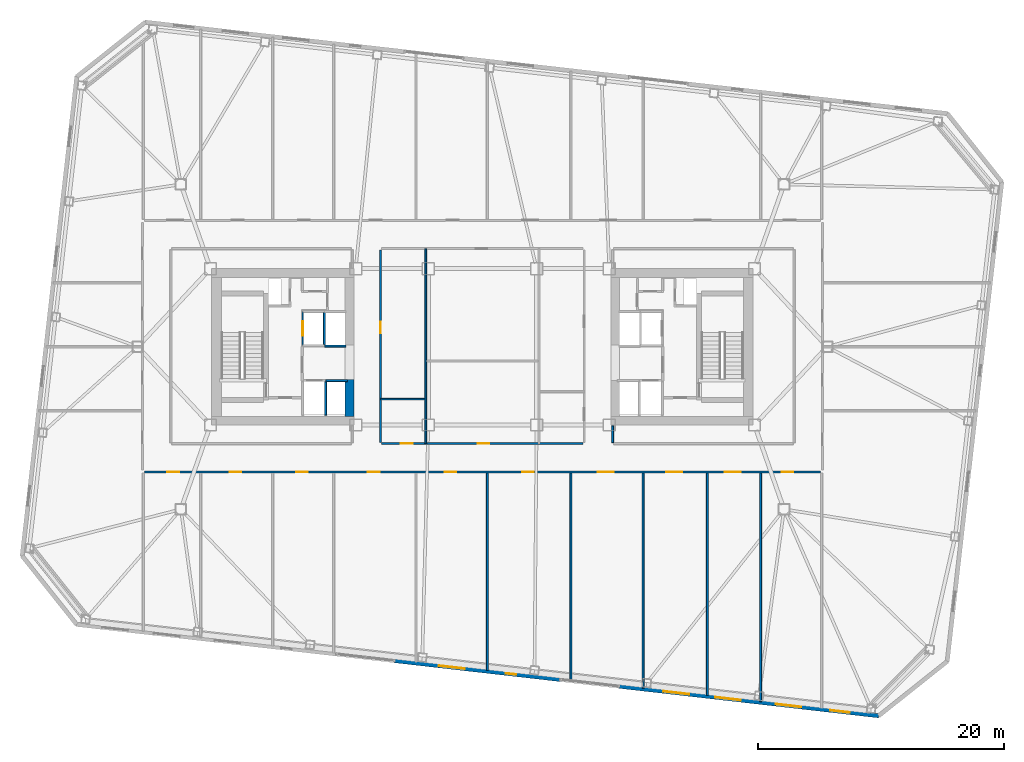
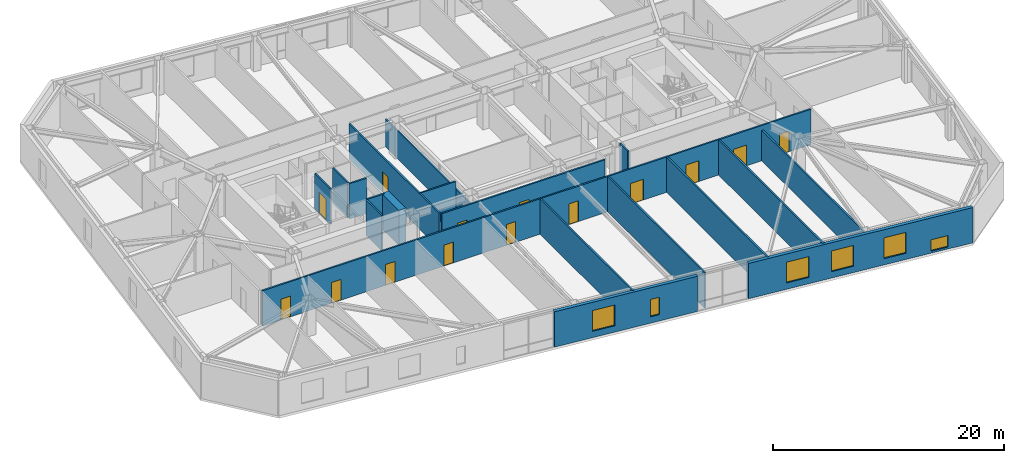
# One storey, part 12 of 21: 19 walls, 14 doors, 6 windows, 20 openings.
"""IFC4 building model written with IfcOpenShell, lengths in metres."""

from ifc_helpers import new_model, si_unit, direction, frame, frame_2d, origin, place, context, subcontext, project, spatial, rectangle, extrude, material, layer, layer_set, type_object, element, fill, save


model = new_model("IFC4")

# Units and contexts
model_context = context("Model", 3, precision=1e-05, world=origin(), true_north=direction((0.0, 1.0)))
body_context = subcontext(model_context, "Body", "Model", "MODEL_VIEW")
ifc_project = project(units=[si_unit("LENGTHUNIT", "METRE"), si_unit("AREAUNIT", "SQUARE_METRE"), si_unit("VOLUMEUNIT", "CUBIC_METRE"), si_unit("PLANEANGLEUNIT", "RADIAN"), si_unit("MASSUNIT", "GRAM", prefix="KILO")], contexts=[model_context])

# Site, building, storey
site_placement = place(None, origin())
site = spatial("IfcSite", under=ifc_project, at=site_placement, CompositionType="ELEMENT")
building_placement = place(site_placement, origin())
building = spatial("IfcBuilding", under=site, at=building_placement, Name="Tavrogorsk Clinical Tower", CompositionType="ELEMENT")
storey_placement = place(building_placement, frame((0.0, 0.0, 137.39990234375)))
storey = spatial("IfcBuildingStorey", under=building, at=storey_placement, Name="L31", CompositionType="ELEMENT", Elevation=137.39990234375)

# Walls
ifc_material_1 = material(Name="Lightweight concrete blockwork B15", Category="masonry")
ifc_layer_1 = layer(ifc_material_1, 0.139892578125)
ifc_layer_set_1 = layer_set([ifc_layer_1], Name="Lightweight concrete blockwork B15")
wall_type_1 = type_object("IfcWallType", Name="PartitionWall_140", PredefinedType="PARTITIONING", material=ifc_layer_set_1)
wall_1_placement = place(storey_placement, frame((-4.60009765625, -7.864990234375, 0.0), z_axis=(0.0, 0.0, 1.0), x_axis=(0.0, 1.0, 0.0)))
element("IfcWall", 1, at=wall_1_placement, inside=storey, type_object=wall_type_1, Name="L31 Central Spine Partition 1", PredefinedType="PARTITIONING", context=body_context, shape_type="SweptSolid", body=[
    extrude(rectangle(XDim=15.830078125, YDim=0.139892578125, at=frame_2d((7.9150390625, 0.0))), origin(), (0.0, 0.0, 1.0), 2.93505859375),
])
wall_2_placement = place(storey_placement, frame((-8.264892578125, -4.25, 0.0), z_axis=(0.0, 0.0, 1.0), x_axis=(1.0, 0.0, 0.0)))
element("IfcWall", 2, at=wall_2_placement, inside=storey, type_object=wall_type_1, Name="L31 Central Spine Partition 4", PredefinedType="PARTITIONING", context=body_context, shape_type="SweptSolid", body=[
    extrude(rectangle(XDim=3.58984375, YDim=0.139892578125, at=frame_2d((1.794921875, 0.0))), origin(), (0.0, 0.0, 1.0), 3.739990234375),
])

# Wall, openings, doors
ifc_material_2 = material(Name="Lightweight concrete blockwork B15", Category="masonry")
ifc_layer_2 = layer(ifc_material_2, 0.159912109375)
ifc_layer_set_2 = layer_set([ifc_layer_2], Name="Lightweight concrete blockwork B15")
wall_type_2 = type_object("IfcWallType", Name="PartitionWall_160", PredefinedType="PARTITIONING", material=ifc_layer_set_2)
wall_3_placement = place(storey_placement, frame((27.465087890625, -10.179931640625, 0.0), z_axis=(0.0, 0.0, 1.0), x_axis=(-1.0, 0.0, 0.0)))
wall_3 = element("IfcWall", 3, at=wall_3_placement, inside=storey, type_object=wall_type_2, Name="L31 Corridor Partition 04", PredefinedType="PARTITIONING", context=body_context, shape_type="SweptSolid", body=[
    extrude(rectangle(XDim=54.93017578125, YDim=0.159912109375, at=frame_2d((27.465087890625, 0.0))), origin(), (0.0, 0.0, 1.0), 3.739990234375),
])
opening_1_placement = place(wall_3_placement, frame((52.10595703125, 0.0, 0.0)))
opening_1 = element("IfcOpeningElement", 4, at=opening_1_placement, cuts=wall_3, Name="Opening ID-02", PredefinedType="OPENING", context=body_context, shape_type="SweptSolid", body=[
    extrude(rectangle(XDim=0.949951171875, YDim=2.199951171875, at=frame_2d((0.47509765625, 1.10009765625))), frame((0.0, 0.08984375, 0.0), z_axis=(0.0, -1.0, 0.0), x_axis=(1.0, 0.0, 0.0)), (0.0, 0.0, 1.0), 0.179931640625),
])
opening_2_placement = place(wall_3_placement, frame((47.050048828125, 0.0, 0.0)))
opening_2 = element("IfcOpeningElement", 5, at=opening_2_placement, cuts=wall_3, Name="Opening ID-02", PredefinedType="OPENING", context=body_context, shape_type="SweptSolid", body=[
    extrude(rectangle(XDim=0.949951171875, YDim=2.199951171875, at=frame_2d((0.47509765625, 1.10009765625))), frame((0.0, 0.08984375, 0.0), z_axis=(0.0, -1.0, 0.0), x_axis=(1.0, 0.0, 0.0)), (0.0, 0.0, 1.0), 0.179931640625),
])
opening_3_placement = place(wall_3_placement, frame((41.64990234375, 0.0, 0.0)))
opening_3 = element("IfcOpeningElement", 6, at=opening_3_placement, cuts=wall_3, Name="Opening ID-02", PredefinedType="OPENING", context=body_context, shape_type="SweptSolid", body=[
    extrude(rectangle(XDim=0.949951171875, YDim=2.199951171875, at=frame_2d((0.47509765625, 1.10009765625))), frame((0.0, 0.08984375, 0.0), z_axis=(0.0, -1.0, 0.0), x_axis=(1.0, 0.0, 0.0)), (0.0, 0.0, 1.0), 0.179931640625),
])
opening_4_placement = place(wall_3_placement, frame((35.824951171875, 0.0, 0.0)))
opening_4 = element("IfcOpeningElement", 7, at=opening_4_placement, cuts=wall_3, Name="Opening ID-02", PredefinedType="OPENING", context=body_context, shape_type="SweptSolid", body=[
    extrude(rectangle(XDim=0.949951171875, YDim=2.199951171875, at=frame_2d((0.47509765625, 1.10009765625))), frame((0.0, 0.08984375, 0.0), z_axis=(0.0, -1.0, 0.0), x_axis=(1.0, 0.0, 0.0)), (0.0, 0.0, 1.0), 0.179931640625),
])
opening_5_placement = place(wall_3_placement, frame((29.574951171875, 0.0, 0.0)))
opening_5 = element("IfcOpeningElement", 8, at=opening_5_placement, cuts=wall_3, Name="Opening ID-02", PredefinedType="OPENING", context=body_context, shape_type="SweptSolid", body=[
    extrude(rectangle(XDim=0.949951171875, YDim=2.199951171875, at=frame_2d((0.47509765625, 1.10009765625))), frame((0.0, 0.08984375, 0.0), z_axis=(0.0, -1.0, 0.0), x_axis=(1.0, 0.0, 0.0)), (0.0, 0.0, 1.0), 0.179931640625),
])
opening_6_placement = place(wall_3_placement, frame((23.284912109375, 0.0, 0.0)))
opening_6 = element("IfcOpeningElement", 9, at=opening_6_placement, cuts=wall_3, Name="Opening ID-02", PredefinedType="OPENING", context=body_context, shape_type="SweptSolid", body=[
    extrude(rectangle(XDim=0.949951171875, YDim=2.199951171875, at=frame_2d((0.47509765625, 1.10009765625))), frame((0.0, 0.08984375, 0.0), z_axis=(0.0, -1.0, 0.0), x_axis=(1.0, 0.0, 0.0)), (0.0, 0.0, 1.0), 0.179931640625),
])
opening_7_placement = place(wall_3_placement, frame((16.780029296875, 0.0, 0.0)))
opening_7 = element("IfcOpeningElement", 10, at=opening_7_placement, cuts=wall_3, Name="Opening ID-01", PredefinedType="OPENING", context=body_context, shape_type="SweptSolid", body=[
    extrude(rectangle(XDim=1.300048828125, YDim=2.199951171875, at=frame_2d((0.64990234375, 1.10009765625))), frame((0.0, 0.08984375, 0.0), z_axis=(0.0, -1.0, 0.0), x_axis=(1.0, 0.0, 0.0)), (0.0, 0.0, 1.0), 0.179931640625),
])
opening_8_placement = place(wall_3_placement, frame((11.22998046875, 0.0, 0.0)))
opening_8 = element("IfcOpeningElement", 11, at=opening_8_placement, cuts=wall_3, Name="Opening ID-01", PredefinedType="OPENING", context=body_context, shape_type="SweptSolid", body=[
    extrude(rectangle(XDim=1.300048828125, YDim=2.199951171875, at=frame_2d((0.64990234375, 1.10009765625))), frame((0.0, 0.08984375, 0.0), z_axis=(0.0, -1.0, 0.0), x_axis=(1.0, 0.0, 0.0)), (0.0, 0.0, 1.0), 0.179931640625),
])
opening_9_placement = place(wall_3_placement, frame((6.4599609375, 0.0, 0.0)))
opening_9 = element("IfcOpeningElement", 12, at=opening_9_placement, cuts=wall_3, Name="Opening ID-01", PredefinedType="OPENING", context=body_context, shape_type="SweptSolid", body=[
    extrude(rectangle(XDim=1.300048828125, YDim=2.199951171875, at=frame_2d((0.64990234375, 1.10009765625))), frame((0.0, 0.08984375, 0.0), z_axis=(0.0, -1.0, 0.0), x_axis=(1.0, 0.0, 0.0)), (0.0, 0.0, 1.0), 0.179931640625),
])
opening_10_placement = place(wall_3_placement, frame((2.194091796875, 0.0, 0.0)))
opening_10 = element("IfcOpeningElement", 13, at=opening_10_placement, cuts=wall_3, Name="Opening ID-02", PredefinedType="OPENING", context=body_context, shape_type="SweptSolid", body=[
    extrude(rectangle(XDim=0.949951171875, YDim=2.199951171875, at=frame_2d((0.47509765625, 1.10009765625))), frame((0.0, 0.08984375, 0.0), z_axis=(0.0, -1.0, 0.0), x_axis=(1.0, 0.0, 0.0)), (0.0, 0.0, 1.0), 0.179931640625),
])
ifc_material_3 = material(Name="Laminated timber leaf on aluminium frame", Category="wood")
door_type_1 = type_object("IfcDoorType", Name="InteriorDoor_ID02_950", OperationType="NOTDEFINED", PredefinedType="DOOR", material=ifc_material_3)
door_1_placement = place(opening_1_placement, origin())
door_1 = element("IfcDoor", 14, at=door_1_placement, inside=storey, type_object=door_type_1, Name="L31 South Clean Medication & Prep Room 01 Door", OperationType="SINGLE_SWING_RIGHT", OverallHeight=2.199951171875, OverallWidth=0.949951171875, PredefinedType="DOOR", context=body_context, shape_type="SweptSolid", body=[
    extrude(rectangle(XDim=0.949951171875, YDim=2.199951171875, at=frame_2d((0.47509765625, 1.10009765625))), frame((0.0, 0.02490234375, 0.0), z_axis=(0.0, -1.0, 0.0), x_axis=(1.0, 0.0, 0.0)), (0.0, 0.0, 1.0), 0.050048828125),
])
fill(opening_1, door_1)
door_2_placement = place(opening_2_placement, origin())
door_2 = element("IfcDoor", 15, at=door_2_placement, inside=storey, type_object=door_type_1, Name="L31 South Outpatient Procedure Suite 02A Door", OperationType="SINGLE_SWING_LEFT", OverallHeight=2.199951171875, OverallWidth=0.949951171875, PredefinedType="DOOR", context=body_context, shape_type="SweptSolid", body=[
    extrude(rectangle(XDim=0.949951171875, YDim=2.199951171875, at=frame_2d((0.47509765625, 1.10009765625))), frame((0.0, 0.02490234375, 0.0), z_axis=(0.0, -1.0, 0.0), x_axis=(1.0, 0.0, 0.0)), (0.0, 0.0, 1.0), 0.050048828125),
])
fill(opening_2, door_2)
door_3_placement = place(opening_3_placement, origin())
door_3 = element("IfcDoor", 16, at=door_3_placement, inside=storey, type_object=door_type_1, Name="L31 South Clinical Case Seminar Room 02B Door", OperationType="SINGLE_SWING_RIGHT", OverallHeight=2.199951171875, OverallWidth=0.949951171875, PredefinedType="DOOR", context=body_context, shape_type="SweptSolid", body=[
    extrude(rectangle(XDim=0.949951171875, YDim=2.199951171875, at=frame_2d((0.47509765625, 1.10009765625))), frame((0.0, 0.02490234375, 0.0), z_axis=(0.0, -1.0, 0.0), x_axis=(1.0, 0.0, 0.0)), (0.0, 0.0, 1.0), 0.050048828125),
])
fill(opening_3, door_3)
door_4_placement = place(opening_4_placement, origin())
door_4 = element("IfcDoor", 17, at=door_4_placement, inside=storey, type_object=door_type_1, Name="L31 South Cardiology Diagnostics Room 03A Door", OperationType="SINGLE_SWING_LEFT", OverallHeight=2.199951171875, OverallWidth=0.949951171875, PredefinedType="DOOR", context=body_context, shape_type="SweptSolid", body=[
    extrude(rectangle(XDim=0.949951171875, YDim=2.199951171875, at=frame_2d((0.47509765625, 1.10009765625))), frame((0.0, 0.02490234375, 0.0), z_axis=(0.0, -1.0, 0.0), x_axis=(1.0, 0.0, 0.0)), (0.0, 0.0, 1.0), 0.050048828125),
])
fill(opening_4, door_4)
door_5_placement = place(opening_5_placement, origin())
door_5 = element("IfcDoor", 18, at=door_5_placement, inside=storey, type_object=door_type_1, Name="L31 South Staff Rest & Nourishment Lounge 03B Door", OperationType="SINGLE_SWING_RIGHT", OverallHeight=2.199951171875, OverallWidth=0.949951171875, PredefinedType="DOOR", context=body_context, shape_type="SweptSolid", body=[
    extrude(rectangle(XDim=0.949951171875, YDim=2.199951171875, at=frame_2d((0.47509765625, 1.10009765625))), frame((0.0, 0.02490234375, 0.0), z_axis=(0.0, -1.0, 0.0), x_axis=(1.0, 0.0, 0.0)), (0.0, 0.0, 1.0), 0.050048828125),
])
fill(opening_5, door_5)
door_6_placement = place(opening_6_placement, origin())
door_6 = element("IfcDoor", 19, at=door_6_placement, inside=storey, type_object=door_type_1, Name="L31 South Attending Physician Office 04A Door", OperationType="SINGLE_SWING_LEFT", OverallHeight=2.199951171875, OverallWidth=0.949951171875, PredefinedType="DOOR", context=body_context, shape_type="SweptSolid", body=[
    extrude(rectangle(XDim=0.949951171875, YDim=2.199951171875, at=frame_2d((0.47509765625, 1.10009765625))), frame((0.0, 0.02490234375, 0.0), z_axis=(0.0, -1.0, 0.0), x_axis=(1.0, 0.0, 0.0)), (0.0, 0.0, 1.0), 0.050048828125),
])
fill(opening_6, door_6)
door_7_placement = place(opening_10_placement, origin())
door_7 = element("IfcDoor", 20, at=door_7_placement, inside=storey, type_object=door_type_1, Name="L31 South Clean Medication & Prep Room 06 Door", OperationType="SINGLE_SWING_LEFT", OverallHeight=2.199951171875, OverallWidth=0.949951171875, PredefinedType="DOOR", context=body_context, shape_type="SweptSolid", body=[
    extrude(rectangle(XDim=0.949951171875, YDim=2.199951171875, at=frame_2d((0.47509765625, 1.10009765625))), frame((0.0, 0.02490234375, 0.0), z_axis=(0.0, -1.0, 0.0), x_axis=(1.0, 0.0, 0.0)), (0.0, 0.0, 1.0), 0.050048828125),
])
fill(opening_10, door_7)
ifc_material_4 = material(Name="Antibacterial HPL medical leaf on aluminium frame", Category="aluminium")
door_type_2 = type_object("IfcDoorType", Name="WardBedDoor_ID01_1300", OperationType="NOTDEFINED", PredefinedType="DOOR", material=ifc_material_4)
door_8_placement = place(opening_7_placement, origin())
door_8 = element("IfcDoor", 21, at=door_8_placement, inside=storey, type_object=door_type_2, Name="L31 South Bariatric Observation Ward 04B Door", OperationType="SINGLE_SWING_RIGHT", OverallHeight=2.199951171875, OverallWidth=1.300048828125, PredefinedType="DOOR", context=body_context, shape_type="SweptSolid", body=[
    extrude(rectangle(XDim=1.300048828125, YDim=2.199951171875, at=frame_2d((0.64990234375, 1.10009765625))), frame((0.0, 0.02490234375, 0.0), z_axis=(0.0, -1.0, 0.0), x_axis=(1.0, 0.0, 0.0)), (0.0, 0.0, 1.0), 0.050048828125),
])
fill(opening_7, door_8)
door_9_placement = place(opening_8_placement, origin())
door_9 = element("IfcDoor", 22, at=door_9_placement, inside=storey, type_object=door_type_2, Name="L31 South Acute Medical Ward 05A Door", OperationType="SINGLE_SWING_LEFT", OverallHeight=2.199951171875, OverallWidth=1.300048828125, PredefinedType="DOOR", context=body_context, shape_type="SweptSolid", body=[
    extrude(rectangle(XDim=1.300048828125, YDim=2.199951171875, at=frame_2d((0.64990234375, 1.10009765625))), frame((0.0, 0.02490234375, 0.0), z_axis=(0.0, -1.0, 0.0), x_axis=(1.0, 0.0, 0.0)), (0.0, 0.0, 1.0), 0.050048828125),
])
fill(opening_8, door_9)
door_10_placement = place(opening_9_placement, origin())
door_10 = element("IfcDoor", 23, at=door_10_placement, inside=storey, type_object=door_type_2, Name="L31 South Surgical Step-Down Ward 05B Door", OperationType="SINGLE_SWING_RIGHT", OverallHeight=2.199951171875, OverallWidth=1.300048828125, PredefinedType="DOOR", context=body_context, shape_type="SweptSolid", body=[
    extrude(rectangle(XDim=1.300048828125, YDim=2.199951171875, at=frame_2d((0.64990234375, 1.10009765625))), frame((0.0, 0.02490234375, 0.0), z_axis=(0.0, -1.0, 0.0), x_axis=(1.0, 0.0, 0.0)), (0.0, 0.0, 1.0), 0.050048828125),
])
fill(opening_9, door_10)

# Wall
wall_4_placement = place(storey_placement, frame((10.580078125, -6.419921875, 0.0), z_axis=(0.0, 0.0, 1.0), x_axis=(0.0, -1.0, 0.0)))
element("IfcWall", 24, at=wall_4_placement, inside=storey, type_object=wall_type_2, Name="L31 Corridor Partition 07", PredefinedType="PARTITIONING", context=body_context, shape_type="SweptSolid", body=[
    extrude(rectangle(XDim=1.364990234375, YDim=0.159912109375, at=frame_2d((0.6826171875, 0.0))), origin(), (0.0, 0.0, 1.0), 3.739990234375),
])

# Wall, opening, door
wall_5_placement = place(storey_placement, frame((-8.27001953125, 7.885009765625, 0.0), z_axis=(0.0, 0.0, 1.0), x_axis=(0.0, -1.0, 0.0)))
wall_5 = element("IfcWall", 25, at=wall_5_placement, inside=storey, type_object=wall_type_2, Name="L31 Corridor Partition 12", PredefinedType="PARTITIONING", context=body_context, shape_type="SweptSolid", body=[
    extrude(rectangle(XDim=15.669921875, YDim=0.159912109375, at=frame_2d((7.8349609375, 0.0))), origin(), (0.0, 0.0, 1.0), 3.739990234375),
])
opening_11_placement = place(wall_5_placement, frame((5.8291015625, 0.0, 0.0)))
opening_11 = element("IfcOpeningElement", 26, at=opening_11_placement, cuts=wall_5, Name="Opening ID-02", PredefinedType="OPENING", context=body_context, shape_type="SweptSolid", body=[
    extrude(rectangle(XDim=0.949951171875, YDim=2.199951171875, at=frame_2d((0.47509765625, 1.10009765625))), frame((0.0, 0.08984375, 0.0), z_axis=(0.0, -1.0, 0.0), x_axis=(1.0, 0.0, 0.0)), (0.0, 0.0, 1.0), 0.179931640625),
])
door_11_placement = place(opening_11_placement, origin())
door_11 = element("IfcDoor", 27, at=door_11_placement, inside=storey, type_object=door_type_1, Name="L31 Ward Nourishment Pantry Door", OperationType="SINGLE_SWING_LEFT", OverallHeight=2.199951171875, OverallWidth=0.949951171875, PredefinedType="DOOR", context=body_context, shape_type="SweptSolid", body=[
    extrude(rectangle(XDim=0.949951171875, YDim=2.199951171875, at=frame_2d((0.47509765625, 1.10009765625))), frame((0.0, 0.02490234375, 0.0), z_axis=(0.0, -1.0, 0.0), x_axis=(1.0, 0.0, 0.0)), (0.0, 0.0, 1.0), 0.050048828125),
])
fill(opening_11, door_11)

# Wall, openings, doors
wall_6_placement = place(storey_placement, frame((-8.18505859375, -7.8701171875, 0.0), z_axis=(0.0, 0.0, 1.0), x_axis=(1.0, 0.0, 0.0)))
wall_6 = element("IfcWall", 28, at=wall_6_placement, inside=storey, type_object=wall_type_2, Name="L31 Corridor Partition 13", PredefinedType="PARTITIONING", context=body_context, shape_type="SweptSolid", body=[
    extrude(rectangle(XDim=16.3701171875, YDim=0.159912109375, at=frame_2d((8.18505859375, 0.0))), origin(), (0.0, 0.0, 1.0), 3.739990234375),
])
opening_12_placement = place(wall_6_placement, frame((1.55419921875, 0.0, 0.0)))
opening_12 = element("IfcOpeningElement", 29, at=opening_12_placement, cuts=wall_6, Name="Opening ID-02", PredefinedType="OPENING", context=body_context, shape_type="SweptSolid", body=[
    extrude(rectangle(XDim=0.949951171875, YDim=2.199951171875, at=frame_2d((0.47509765625, 1.10009765625))), frame((0.0, 0.08984375, 0.0), z_axis=(0.0, -1.0, 0.0), x_axis=(1.0, 0.0, 0.0)), (0.0, 0.0, 1.0), 0.179931640625),
])
opening_13_placement = place(wall_6_placement, frame((7.794921875, 0.0, 0.0)))
opening_13 = element("IfcOpeningElement", 30, at=opening_13_placement, cuts=wall_6, Name="Opening ID-02", PredefinedType="OPENING", context=body_context, shape_type="SweptSolid", body=[
    extrude(rectangle(XDim=0.949951171875, YDim=2.199951171875, at=frame_2d((0.47509765625, 1.10009765625))), frame((0.0, 0.08984375, 0.0), z_axis=(0.0, -1.0, 0.0), x_axis=(1.0, 0.0, 0.0)), (0.0, 0.0, 1.0), 0.179931640625),
])
door_12_placement = place(opening_12_placement, origin())
door_12 = element("IfcDoor", 31, at=door_12_placement, inside=storey, type_object=door_type_1, Name="L31 Accessible Patient Lavatory Door", OperationType="SINGLE_SWING_RIGHT", OverallHeight=2.199951171875, OverallWidth=0.949951171875, PredefinedType="DOOR", context=body_context, shape_type="SweptSolid", body=[
    extrude(rectangle(XDim=0.949951171875, YDim=2.199951171875, at=frame_2d((0.47509765625, 1.10009765625))), frame((0.0, 0.02490234375, 0.0), z_axis=(0.0, -1.0, 0.0), x_axis=(1.0, 0.0, 0.0)), (0.0, 0.0, 1.0), 0.050048828125),
])
fill(opening_12, door_12)
door_13_placement = place(opening_13_placement, origin())
door_13 = element("IfcDoor", 32, at=door_13_placement, inside=storey, type_object=door_type_1, Name="L31 Multidisciplinary Conference Room Door", OperationType="SINGLE_SWING_RIGHT", OverallHeight=2.199951171875, OverallWidth=0.949951171875, PredefinedType="DOOR", context=body_context, shape_type="SweptSolid", body=[
    extrude(rectangle(XDim=0.949951171875, YDim=2.199951171875, at=frame_2d((0.47509765625, 1.10009765625))), frame((0.0, 0.02490234375, 0.0), z_axis=(0.0, -1.0, 0.0), x_axis=(1.0, 0.0, 0.0)), (0.0, 0.0, 1.0), 0.050048828125),
])
fill(opening_13, door_13)

# Walls
wall_7_placement = place(storey_placement, frame((0.39990234375, -26.291015625, 0.0), z_axis=(0.0, 0.0, 1.0), x_axis=(0.0, 1.0, 0.0)))
element("IfcWall", 33, at=wall_7_placement, inside=storey, type_object=wall_type_2, Name="L31 South Room Partition 3", PredefinedType="PARTITIONING", context=body_context, shape_type="SweptSolid", body=[
    extrude(rectangle(XDim=16.026123046875, YDim=0.159912109375, at=frame_2d((8.01318359375, 0.0))), origin(), (0.0, 0.0, 1.0), 3.739990234375),
])
wall_8_placement = place(storey_placement, frame((13.06005859375, -27.7333984375, 0.0), z_axis=(0.0, 0.0, 1.0), x_axis=(0.0, 1.0, 0.0)))
element("IfcWall", 34, at=wall_8_placement, inside=storey, type_object=wall_type_2, Name="L31 South Room Partition 4", PredefinedType="PARTITIONING", context=body_context, shape_type="SweptSolid", body=[
    extrude(rectangle(XDim=17.468505859375, YDim=0.159912109375, at=frame_2d((8.734375, 0.0))), origin(), (0.0, 0.0, 1.0), 3.739990234375),
])
wall_9_placement = place(storey_placement, frame((22.60009765625, -28.8203125, 0.0), z_axis=(0.0, 0.0, 1.0), x_axis=(0.0, 1.0, 0.0)))
element("IfcWall", 35, at=wall_9_placement, inside=storey, type_object=wall_type_2, Name="L31 South Room Partition 5", PredefinedType="PARTITIONING", context=body_context, shape_type="SweptSolid", body=[
    extrude(rectangle(XDim=18.555419921875, YDim=0.159912109375, at=frame_2d((9.27783203125, 0.0))), origin(), (0.0, 0.0, 1.0), 3.235107421875),
])
wall_10_placement = place(storey_placement, frame((7.179931640625, -27.0634765625, 0.0), z_axis=(0.0, 0.0, 1.0), x_axis=(0.0, 1.0, 0.0)))
element("IfcWall", 36, at=wall_10_placement, inside=storey, type_object=wall_type_2, Name="L31 South Sub-Partition 4", PredefinedType="PARTITIONING", context=body_context, shape_type="SweptSolid", body=[
    extrude(rectangle(XDim=16.798583984375, YDim=0.159912109375, at=frame_2d((8.3994140625, 0.0))), origin(), (0.0, 0.0, 1.0), 3.739990234375),
])
wall_11_placement = place(storey_placement, frame((18.280029296875, -28.328125, 0.0), z_axis=(0.0, 0.0, 1.0), x_axis=(0.0, 1.0, 0.0)))
element("IfcWall", 37, at=wall_11_placement, inside=storey, type_object=wall_type_2, Name="L31 South Sub-Partition 5", PredefinedType="PARTITIONING", context=body_context, shape_type="SweptSolid", body=[
    extrude(rectangle(XDim=18.063232421875, YDim=0.159912109375, at=frame_2d((9.03173828125, 0.0))), origin(), (0.0, 0.0, 1.0), 3.739990234375),
])

# Wall, openings, windows
ifc_material_5 = material(Name="Precast concrete B45 with limestone cladding", Category="masonry")
ifc_layer_3 = layer(ifc_material_5, 0.340087890625)
ifc_layer_set_3 = layer_set([ifc_layer_3], Name="Precast concrete B45 with limestone cladding")
wall_type_3 = type_object("IfcWallType", Name="PrecastLimestoneWall_340", PredefinedType="STANDARD", material=ifc_layer_set_3)
wall_12_placement = place(storey_placement, frame((-7.121826171875, -25.50439453125, 0.0), z_axis=(0.0, 0.0, 1.0), x_axis=(0.993571685551, -0.11320470693, 0.0)))
wall_12 = element("IfcWall", 38, at=wall_12_placement, inside=storey, type_object=wall_type_3, Name="L31 S Limestone Facade Wall 2", PredefinedType="STANDARD", context=body_context, shape_type="SweptSolid", body=[
    extrude(rectangle(XDim=13.554443359375, YDim=0.340087890625, at=frame_2d((6.77734375, 0.0))), origin(), (0.0, 0.0, 1.0), 3.739990234375),
])
opening_14_placement = place(wall_12_placement, frame((3.616455078125, 0.0, 0.669921875)))
opening_14 = element("IfcOpeningElement", 39, at=opening_14_placement, cuts=wall_12, Name="Opening WN-03", PredefinedType="OPENING", context=body_context, shape_type="SweptSolid", body=[
    extrude(rectangle(XDim=2.10009765625, YDim=2.199951171875, at=frame_2d((1.050048828125, 1.10009765625))), frame((0.0, 0.179931640625, 0.0), z_axis=(0.0, -1.0, 0.0), x_axis=(1.0, 0.0, 0.0)), (0.0, 0.0, 1.0), 0.360107421875),
])
opening_15_placement = place(wall_12_placement, frame((9.087890625, 0.0, 0.669921875)))
opening_15 = element("IfcOpeningElement", 40, at=opening_15_placement, cuts=wall_12, Name="Opening WN-06", PredefinedType="OPENING", context=body_context, shape_type="SweptSolid", body=[
    extrude(rectangle(XDim=0.85009765625, YDim=1.85009765625, at=frame_2d((0.425048828125, 0.925048828125))), frame((0.0, 0.179931640625, 0.0), z_axis=(0.0, -1.0, 0.0), x_axis=(1.0, 0.0, 0.0)), (0.0, 0.0, 1.0), 0.360107421875),
])
ifc_material_6 = material(Name="Thermally broken aluminium frame and triple IGU", Category="aluminium")
window_type_1 = type_object("IfcWindowType", Name="MullionSubWin_850x1850", PartitioningType="SINGLE_PANEL", PredefinedType="WINDOW", material=ifc_material_6)
window_1_placement = place(opening_15_placement, origin())
window_1 = element("IfcWindow", 41, at=window_1_placement, inside=storey, type_object=window_type_1, Name="L31 S Mullion Split Window 06B", OverallHeight=1.85009765625, OverallWidth=0.85009765625, PartitioningType="SINGLE_PANEL", PredefinedType="WINDOW", context=body_context, shape_type="SweptSolid", body=[
    extrude(rectangle(XDim=0.85009765625, YDim=1.85009765625, at=frame_2d((0.425048828125, 0.925048828125))), frame((0.0, 0.030029296875, 0.0), z_axis=(0.0, -1.0, 0.0), x_axis=(1.0, 0.0, 0.0)), (0.0, 0.0, 1.0), 0.06005859375),
])
fill(opening_15, window_1)
ifc_material_7 = material(Name="Thermally broken aluminium frame and triple IGU", Category="aluminium")
window_type_2 = type_object("IfcWindowType", Name="PatientTwinWin_2100x2200", PartitioningType="DOUBLE_PANEL_VERTICAL", PredefinedType="WINDOW", material=ifc_material_7)
window_2_placement = place(opening_14_placement, origin())
window_2 = element("IfcWindow", 42, at=window_2_placement, inside=storey, type_object=window_type_2, Name="L31 S Chicago Window 05", OverallHeight=2.199951171875, OverallWidth=2.10009765625, PartitioningType="SINGLE_PANEL", PredefinedType="WINDOW", context=body_context, shape_type="SweptSolid", body=[
    extrude(rectangle(XDim=2.10009765625, YDim=2.199951171875, at=frame_2d((1.050048828125, 1.10009765625))), frame((0.0, 0.030029296875, 0.0), z_axis=(0.0, -1.0, 0.0), x_axis=(1.0, 0.0, 0.0)), (0.0, 0.0, 1.0), 0.06005859375),
])
fill(opening_14, window_2)

wall_13_placement = place(storey_placement, frame((11.114501953125, -27.582275390625, 0.0), z_axis=(0.0, 0.0, 1.0), x_axis=(0.993572655904, -0.113196190044, 0.0)))
wall_13 = element("IfcWall", 43, at=wall_13_placement, inside=storey, type_object=wall_type_3, Name="L31 S Limestone Facade Wall 3", PredefinedType="STANDARD", context=body_context, shape_type="SweptSolid", body=[
    extrude(rectangle(XDim=21.222900390625, YDim=0.340087890625, at=frame_2d((10.611328125, 0.0))), origin(), (0.0, 0.0, 1.0), 3.739990234375),
])
opening_16_placement = place(wall_13_placement, frame((3.616455078125, 0.0, 0.669921875)))
opening_16 = element("IfcOpeningElement", 44, at=opening_16_placement, cuts=wall_13, Name="Opening WN-03", PredefinedType="OPENING", context=body_context, shape_type="SweptSolid", body=[
    extrude(rectangle(XDim=2.10009765625, YDim=2.199951171875, at=frame_2d((1.050048828125, 1.10009765625))), frame((0.0, 0.179931640625, 0.0), z_axis=(0.0, -1.0, 0.0), x_axis=(1.0, 0.0, 0.0)), (0.0, 0.0, 1.0), 0.360107421875),
])
opening_17_placement = place(wall_13_placement, frame((7.837890625, 0.0, 0.669921875)))
opening_17 = element("IfcOpeningElement", 45, at=opening_17_placement, cuts=wall_13, Name="Opening WN-03", PredefinedType="OPENING", context=body_context, shape_type="SweptSolid", body=[
    extrude(rectangle(XDim=2.10009765625, YDim=2.199951171875, at=frame_2d((1.050048828125, 1.10009765625))), frame((0.0, 0.179931640625, 0.0), z_axis=(0.0, -1.0, 0.0), x_axis=(1.0, 0.0, 0.0)), (0.0, 0.0, 1.0), 0.360107421875),
])
opening_18_placement = place(wall_13_placement, frame((12.793701171875, 0.0, 0.669921875)))
opening_18 = element("IfcOpeningElement", 46, at=opening_18_placement, cuts=wall_13, Name="Opening WN-03", PredefinedType="OPENING", context=body_context, shape_type="SweptSolid", body=[
    extrude(rectangle(XDim=2.10009765625, YDim=2.199951171875, at=frame_2d((1.050048828125, 1.10009765625))), frame((0.0, 0.179931640625, 0.0), z_axis=(0.0, -1.0, 0.0), x_axis=(1.0, 0.0, 0.0)), (0.0, 0.0, 1.0), 0.360107421875),
])
opening_19_placement = place(wall_13_placement, frame((17.264892578125, 0.0, 0.219970703125)))
opening_19 = element("IfcOpeningElement", 47, at=opening_19_placement, cuts=wall_13, Name="Opening WN-09", PredefinedType="OPENING", context=body_context, shape_type="SweptSolid", body=[
    extrude(rectangle(XDim=1.60009765625, YDim=1.199951171875, at=frame_2d((0.800048828125, 0.60009765625))), frame((0.0, 0.179931640625, 0.0), z_axis=(0.0, -1.0, 0.0), x_axis=(1.0, 0.0, 0.0)), (0.0, 0.0, 1.0), 0.360107421875),
])
ifc_material_8 = material(Name="Thermally broken aluminium frame and triple IGU", Category="aluminium")
window_type_3 = type_object("IfcWindowType", Name="LowHeadTransWin_1600x1200", PartitioningType="DOUBLE_PANEL_VERTICAL", PredefinedType="WINDOW", material=ifc_material_8)
window_3_placement = place(opening_19_placement, origin())
window_3 = element("IfcWindow", 48, at=window_3_placement, inside=storey, type_object=window_type_3, Name="L31 S Chicago Window 10", OverallHeight=1.199951171875, OverallWidth=1.60009765625, PartitioningType="SINGLE_PANEL", PredefinedType="WINDOW", context=body_context, shape_type="SweptSolid", body=[
    extrude(rectangle(XDim=1.60009765625, YDim=1.199951171875, at=frame_2d((0.800048828125, 0.60009765625))), frame((0.0, 0.030029296875, 0.0), z_axis=(0.0, -1.0, 0.0), x_axis=(1.0, 0.0, 0.0)), (0.0, 0.0, 1.0), 0.06005859375),
])
fill(opening_19, window_3)
window_4_placement = place(opening_16_placement, origin())
window_4 = element("IfcWindow", 49, at=window_4_placement, inside=storey, type_object=window_type_2, Name="L31 S Chicago Window 07", OverallHeight=2.199951171875, OverallWidth=2.10009765625, PartitioningType="SINGLE_PANEL", PredefinedType="WINDOW", context=body_context, shape_type="SweptSolid", body=[
    extrude(rectangle(XDim=2.10009765625, YDim=2.199951171875, at=frame_2d((1.050048828125, 1.10009765625))), frame((0.0, 0.030029296875, 0.0), z_axis=(0.0, -1.0, 0.0), x_axis=(1.0, 0.0, 0.0)), (0.0, 0.0, 1.0), 0.06005859375),
])
fill(opening_16, window_4)
window_5_placement = place(opening_17_placement, origin())
window_5 = element("IfcWindow", 50, at=window_5_placement, inside=storey, type_object=window_type_2, Name="L31 S Chicago Window 08", OverallHeight=2.199951171875, OverallWidth=2.10009765625, PartitioningType="SINGLE_PANEL", PredefinedType="WINDOW", context=body_context, shape_type="SweptSolid", body=[
    extrude(rectangle(XDim=2.10009765625, YDim=2.199951171875, at=frame_2d((1.050048828125, 1.10009765625))), frame((0.0, 0.030029296875, 0.0), z_axis=(0.0, -1.0, 0.0), x_axis=(1.0, 0.0, 0.0)), (0.0, 0.0, 1.0), 0.06005859375),
])
fill(opening_17, window_5)
window_6_placement = place(opening_18_placement, origin())
window_6 = element("IfcWindow", 51, at=window_6_placement, inside=storey, type_object=window_type_2, Name="L31 S Chicago Window 09", OverallHeight=2.199951171875, OverallWidth=2.10009765625, PartitioningType="SINGLE_PANEL", PredefinedType="WINDOW", context=body_context, shape_type="SweptSolid", body=[
    extrude(rectangle(XDim=2.10009765625, YDim=2.199951171875, at=frame_2d((1.050048828125, 1.10009765625))), frame((0.0, 0.030029296875, 0.0), z_axis=(0.0, -1.0, 0.0), x_axis=(1.0, 0.0, 0.0)), (0.0, 0.0, 1.0), 0.06005859375),
])
fill(opening_18, window_6)

# Wall, opening, door
ifc_material_9 = material(Name="Lightweight concrete blockwork B25", Category="masonry")
ifc_layer_4 = layer(ifc_material_9, 0.159912109375)
ifc_layer_set_4 = layer_set([ifc_layer_4], Name="Lightweight concrete blockwork B25")
wall_type_4 = type_object("IfcWallType", Name="ShaftWall_160", PredefinedType="PARTITIONING", material=ifc_layer_set_4)
wall_14_placement = place(storey_placement, frame((-14.60009765625, 0.1201171875, 0.0), z_axis=(0.0, 0.0, 1.0), x_axis=(0.0, 1.0, 0.0)))
wall_14 = element("IfcWall", 52, at=wall_14_placement, inside=storey, type_object=wall_type_4, Name="L31 FFL-W Firefighting Lift Front Wall", PredefinedType="PARTITIONING", context=body_context, shape_type="SweptSolid", body=[
    extrude(rectangle(XDim=2.739990234375, YDim=0.159912109375, at=frame_2d((1.3701171875, 0.0))), origin(), (0.0, 0.0, 1.0), 3.739990234375),
])
opening_20_placement = place(wall_14_placement, frame((0.77001953125, 0.0, 0.0)))
opening_20 = element("IfcOpeningElement", 53, at=opening_20_placement, cuts=wall_14, Name="Opening LD", PredefinedType="OPENING", context=body_context, shape_type="SweptSolid", body=[
    extrude(rectangle(XDim=1.199951171875, YDim=2.199951171875, at=frame_2d((0.60009765625, 1.10009765625))), frame((0.0, 0.08984375, 0.0), z_axis=(0.0, -1.0, 0.0), x_axis=(1.0, 0.0, 0.0)), (0.0, 0.0, 1.0), 0.179931640625),
])
ifc_material_10 = material(Name="Brushed stainless steel AISI 304 sliding doors", Category="steel")
door_type_3 = type_object("IfcDoorType", Name="LiftLandingDoor_LD_1200", OperationType="SLIDING_TO_LEFT", PredefinedType="DOOR", material=ifc_material_10)
door_14_placement = place(opening_20_placement, origin())
door_14 = element("IfcDoor", 54, at=door_14_placement, inside=storey, type_object=door_type_3, Name="L31 FFL-W Sliding Lift Landing Door", OperationType="SLIDING_TO_LEFT", OverallHeight=2.199951171875, OverallWidth=1.199951171875, PredefinedType="DOOR", context=body_context, shape_type="SweptSolid", body=[
    extrude(rectangle(XDim=1.199951171875, YDim=2.199951171875, at=frame_2d((0.60009765625, 1.10009765625))), frame((0.0, 0.02490234375, 0.0), z_axis=(0.0, -1.0, 0.0), x_axis=(1.0, 0.0, 0.0)), (0.0, 0.0, 1.0), 0.050048828125),
])
fill(opening_20, door_14)

# Walls
wall_15_placement = place(storey_placement, frame((-12.840087890625, 0.179931640625, 0.0), z_axis=(0.0, 0.0, 1.0), x_axis=(0.0, 1.0, 0.0)))
element("IfcWall", 55, at=wall_15_placement, inside=storey, type_object=wall_type_4, Name="L31 FFL-W Shaft Back Wall", PredefinedType="PARTITIONING", context=body_context, shape_type="SweptSolid", body=[
    extrude(rectangle(XDim=2.6201171875, YDim=0.159912109375, at=frame_2d((1.31005859375, 0.0))), origin(), (0.0, 0.0, 1.0), 3.739990234375),
])
wall_16_placement = place(storey_placement, frame((-12.75, -5.5400390625, 0.0), z_axis=(0.0, 0.0, 1.0), x_axis=(0.0, 1.0, 0.0)))
element("IfcWall", 56, at=wall_16_placement, inside=storey, type_object=wall_type_4, Name="L31 LP-L1 Lift Hoistway Divider Wall", PredefinedType="PARTITIONING", context=body_context, shape_type="SweptSolid", body=[
    extrude(rectangle(XDim=2.699951171875, YDim=0.159912109375, at=frame_2d((1.35009765625, 0.0))), origin(), (0.0, 0.0, 1.0), 3.739990234375),
])
wall_17_placement = place(storey_placement, frame((-12.72998046875, -2.75, 0.0), z_axis=(0.0, 0.0, 1.0), x_axis=(1.0, 0.0, 0.0)))
element("IfcWall", 57, at=wall_17_placement, inside=storey, type_object=wall_type_4, Name="L31 LP-M1 Lift Shaft Portal Wall", PredefinedType="PARTITIONING", context=body_context, shape_type="SweptSolid", body=[
    extrude(rectangle(XDim=1.760009765625, YDim=0.159912109375, at=frame_2d((0.8798828125, 0.0))), origin(), (0.0, 0.0, 1.0), 3.739990234375),
])
wall_18_placement = place(storey_placement, frame((-12.820068359375, 0.06005859375, 0.0), z_axis=(0.0, 0.0, 1.0), x_axis=(1.0, 0.0, 0.0)))
element("IfcWall", 58, at=wall_18_placement, inside=storey, type_object=wall_type_4, Name="L31 LP-H1 High-Zone Lift Portal Wall", PredefinedType="PARTITIONING", context=body_context, shape_type="SweptSolid", body=[
    extrude(rectangle(XDim=1.719970703125, YDim=0.159912109375, at=frame_2d((0.85986328125, 0.0))), origin(), (0.0, 0.0, 1.0), 3.739990234375),
])
ifc_material_11 = material(Name="Concrete B80", Category="concrete")
ifc_layer_5 = layer(ifc_material_11, 0.699951171875)
ifc_layer_set_5 = layer_set([ifc_layer_5], Name="Concrete B80")
wall_type_5 = type_object("IfcWallType", Name="ShearWall_700", PredefinedType="SHEAR", material=ifc_layer_set_5)
wall_19_placement = place(storey_placement, frame((-10.800048828125, -5.64990234375, 0.0), z_axis=(0.0, 0.0, 1.0), x_axis=(0.0, 1.0, 0.0)))
element("IfcWall", 59, at=wall_19_placement, inside=storey, type_object=wall_type_5, Name="L31 Core West Inner South Pier", PredefinedType="SHEAR", context=body_context, shape_type="SweptSolid", body=[
    extrude(rectangle(XDim=3.0, YDim=0.699951171875, at=frame_2d((1.5, 0.0))), origin(), (0.0, 0.0, 1.0), 3.739990234375),
])

save(model, "model.ifc")
